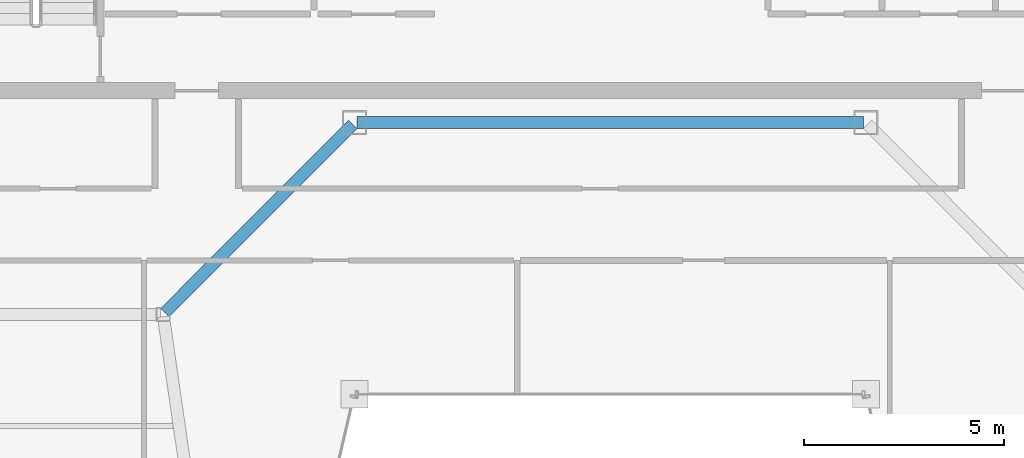
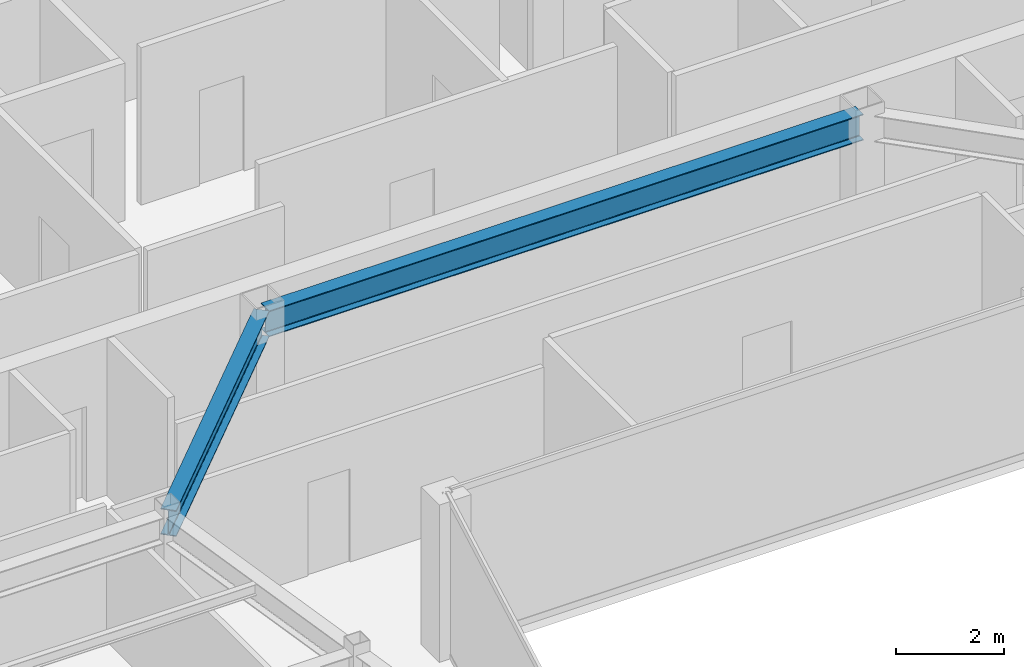
# One storey, part 11 of 32: 2 beams.
"""IFC4 building model written with IfcOpenShell, lengths in metres."""

from ifc_helpers import new_model, si_unit, direction, frame, origin, origin_2d, place, context, subcontext, project, spatial, i_section, extrude, material, material_profile, profile_set, type_object, element, save


model = new_model("IFC4")

# Units and contexts
model_context = context("Model", 3, precision=1e-05, world=origin(), true_north=direction((0.0, 1.0)))
body_context = subcontext(model_context, "Body", "Model", "MODEL_VIEW")
ifc_project = project(units=[si_unit("LENGTHUNIT", "METRE"), si_unit("AREAUNIT", "SQUARE_METRE"), si_unit("VOLUMEUNIT", "CUBIC_METRE"), si_unit("PLANEANGLEUNIT", "RADIAN"), si_unit("MASSUNIT", "GRAM", prefix="KILO")], contexts=[model_context])

# Site, building, storey
site_placement = place(None, origin())
site = spatial("IfcSite", under=ifc_project, at=site_placement, CompositionType="ELEMENT")
building_placement = place(site_placement, origin())
building = spatial("IfcBuilding", under=site, at=building_placement, Name="Saevonmaru Cultural Tower", CompositionType="ELEMENT")
storey_placement = place(building_placement, frame((0.0, 0.0, 264.800048828125)))
storey = spatial("IfcBuildingStorey", under=building, at=storey_placement, Name="L62", CompositionType="ELEMENT", Elevation=264.800048828125)

# Beams
ifc_material = material(Name="Steel SM355", Category="steel")
ifc_material_profile = material_profile(ifc_material, i_section(OverallWidth=0.300048828125, OverallDepth=0.587890625, WebThickness=0.011962890625, FlangeThickness=0.02001953125, FilletRadius=0.02392578125, at=origin_2d()), Name="H-588x300x12x20")
ifc_profile_set = profile_set([ifc_material_profile], Name="Steel SM355")
beam_type = type_object("IfcBeamType", Name="BM-G-H588", PredefinedType="BEAM", material=ifc_profile_set)
beam_1_placement = place(storey_placement, frame((23.659912109375, 42.39990234375, 3.255859375), z_axis=(1.0, 0.0, 0.0), x_axis=(0.0, 1.0, 0.0)))
element("IfcBeam", 1, at=beam_1_placement, inside=storey, type_object=beam_type, Name="L62 Core South Girder 3", PredefinedType="BEAM", context=body_context, shape_type="SweptSolid", body=[
    extrude(i_section(OverallWidth=0.300048828125, OverallDepth=0.587890625, WebThickness=0.011962890625, FlangeThickness=0.02001953125, FilletRadius=0.02392578125, at=origin_2d()), origin(), (0.0, 0.0, 1.0), 12.68017578125),
])
beam_2_placement = place(storey_placement, frame((18.850341796875, 37.642578125, 3.255859375), z_axis=(0.706538566564, 0.707674539572, 0.0), x_axis=(-0.707674539572, 0.706538566564, 0.0)))
element("IfcBeam", 2, at=beam_2_placement, inside=storey, type_object=beam_type, Name="L62 West Atrium Girder 3", PredefinedType="BEAM", context=body_context, shape_type="SweptSolid", body=[
    extrude(i_section(OverallWidth=0.300048828125, OverallDepth=0.587890625, WebThickness=0.011962890625, FlangeThickness=0.02001953125, FilletRadius=0.02392578125, at=origin_2d()), origin(), (0.0, 0.0, 1.0), 6.662353515625),
])

save(model, "model.ifc")
